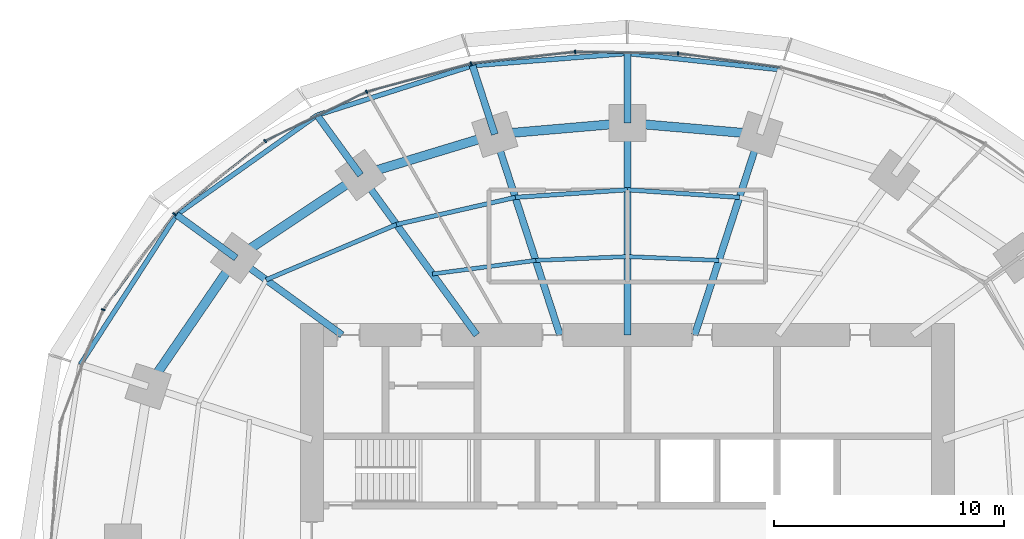
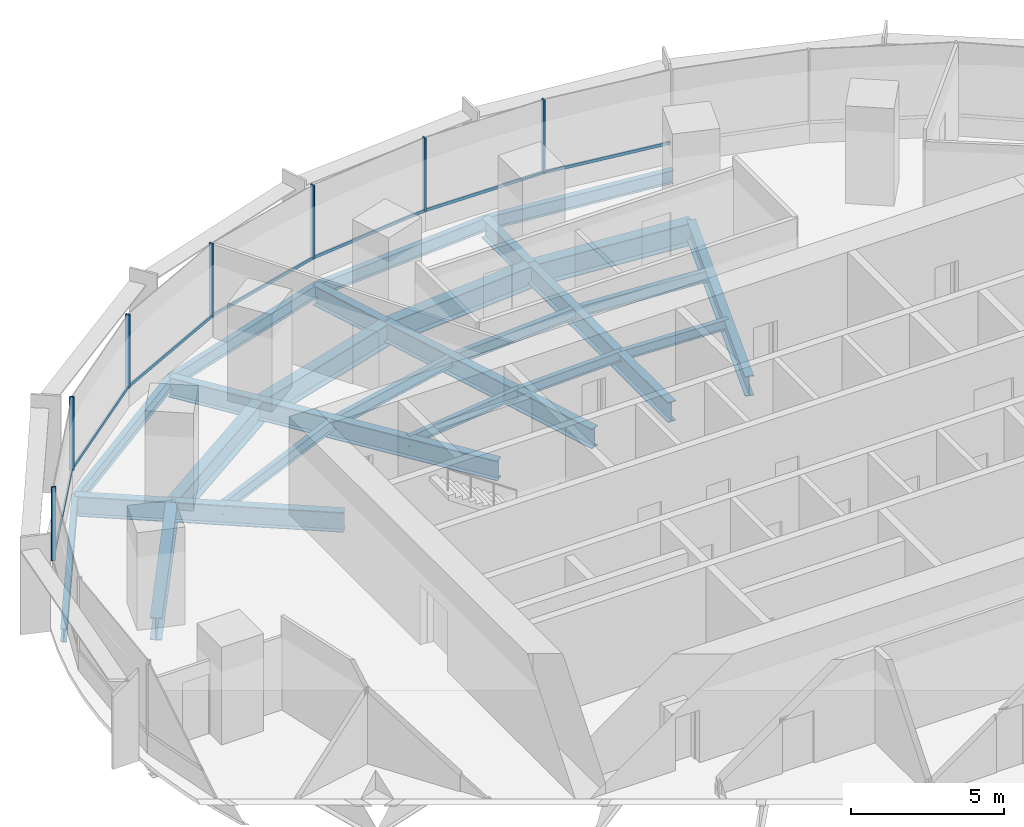
# One storey, part 7 of 14: 26 beams, 14 members, 2 elements without a shape of their own.
"""IFC4 building model written with IfcOpenShell, lengths in metres."""

from ifc_helpers import new_model, si_unit, direction, frame, origin, origin_2d, place, context, subcontext, project, spatial, rectangle, i_section, extrude, material, material_profile, profile_set, type_object, element, aggregate, save


model = new_model("IFC4")

# Units and contexts
model_context = context("Model", 3, precision=1e-05, world=origin(), true_north=direction((0.0, 1.0)))
body_context = subcontext(model_context, "Body", "Model", "MODEL_VIEW")
ifc_project = project(units=[si_unit("LENGTHUNIT", "METRE"), si_unit("AREAUNIT", "SQUARE_METRE"), si_unit("VOLUMEUNIT", "CUBIC_METRE"), si_unit("PLANEANGLEUNIT", "RADIAN"), si_unit("MASSUNIT", "GRAM", prefix="KILO")], contexts=[model_context])

# Site, building, storey
site_placement = place(None, origin())
site = spatial("IfcSite", under=ifc_project, at=site_placement, CompositionType="ELEMENT")
building_placement = place(site_placement, origin())
building = spatial("IfcBuilding", under=site, at=building_placement, Name="Marramba Exchange Tower", CompositionType="ELEMENT")
storey_placement = place(building_placement, frame((0.0, 0.0, 104.10009765625)))
storey = spatial("IfcBuildingStorey", under=building, at=storey_placement, Name="L24", CompositionType="ELEMENT", Elevation=104.10009765625)

# Beams
ifc_material_1 = material(Name="Steel AS/NZS 3679.2 grade 300", Category="steel")
ifc_material_profile_1 = material_profile(ifc_material_1, i_section(OverallWidth=0.300048828125, OverallDepth=0.800048828125, WebThickness=0.013916015625, FlangeThickness=0.031982421875, at=origin_2d()), Name="800WB192")
ifc_profile_set_1 = profile_set([ifc_material_profile_1], Name="Steel AS/NZS 3679.2 grade 300")
beam_type_1 = type_object("IfcBeamType", Name="Cantilever girder 800WB192", PredefinedType="BEAM", material=ifc_profile_set_1)
beam_1_placement = place(storey_placement, frame((0.0, 18.2041015625, -0.56005859375), z_axis=(0.0, 1.0, 0.0), x_axis=(-1.0, 0.0, 0.0)))
element("IfcBeam", 1, at=beam_1_placement, inside=storey, type_object=beam_type_1, Name="Cantilever girder L24 TC06", PredefinedType="BEAM", context=body_context, shape_type="SweptSolid", body=[
    extrude(i_section(OverallWidth=0.300048828125, OverallDepth=0.800048828125, WebThickness=0.013916015625, FlangeThickness=0.031982421875, at=origin_2d()), origin(), (0.0, 0.0, 1.0), 3.01904296875),
])
beam_2_placement = place(storey_placement, frame((-5.75390625, 17.70849609375, -0.56005859375), z_axis=(-0.309028002802, 0.95105293937, 0.0), x_axis=(-0.95105293937, -0.309028002802, 0.0)))
element("IfcBeam", 2, at=beam_2_placement, inside=storey, type_object=beam_type_1, Name="Cantilever girder L24 TC07", PredefinedType="BEAM", context=body_context, shape_type="SweptSolid", body=[
    extrude(i_section(OverallWidth=0.300048828125, OverallDepth=0.800048828125, WebThickness=0.013916015625, FlangeThickness=0.031982421875, at=origin_2d()), origin(), (0.0, 0.0, 1.0), 3.13720703125),
])
beam_3_placement = place(storey_placement, frame((-11.581298828125, 15.9404296875, -0.56005859375), z_axis=(-0.587828447158, 0.808985609706, 0.0), x_axis=(-0.808985609706, -0.587828447158, 0.0)))
element("IfcBeam", 3, at=beam_3_placement, inside=storey, type_object=beam_type_1, Name="Cantilever girder L24 TC08", PredefinedType="BEAM", context=body_context, shape_type="SweptSolid", body=[
    extrude(i_section(OverallWidth=0.300048828125, OverallDepth=0.800048828125, WebThickness=0.013916015625, FlangeThickness=0.031982421875, at=origin_2d()), origin(), (0.0, 0.0, 1.0), 3.214599609375),
])
beam_4_placement = place(storey_placement, frame((-16.98583984375, 12.3408203125, -0.56005859375), z_axis=(-0.809013857915, 0.587789569234, 0.0), x_axis=(-0.587789569234, -0.809013857915, 0.0)))
element("IfcBeam", 4, at=beam_4_placement, inside=storey, type_object=beam_type_1, Name="Cantilever girder L24 TC09", PredefinedType="BEAM", context=body_context, shape_type="SweptSolid", body=[
    extrude(i_section(OverallWidth=0.300048828125, OverallDepth=0.800048828125, WebThickness=0.013916015625, FlangeThickness=0.031982421875, at=origin_2d()), origin(), (0.0, 0.0, 1.0), 3.191650390625),
])
ifc_material_2 = material(Name="Steel AS/NZS 3679.1 grade 300", Category="steel")
ifc_material_profile_2 = material_profile(ifc_material_2, i_section(OverallWidth=0.177978515625, OverallDepth=0.406005859375, WebThickness=0.0078125, FlangeThickness=0.0126953125, FilletRadius=0.011474609375, at=origin_2d()), Name="410UB59.7")
ifc_profile_set_2 = profile_set([ifc_material_profile_2], Name="Steel AS/NZS 3679.1 grade 300")
beam_type_2 = type_object("IfcBeamType", Name="Floor joist 410UB59.7", PredefinedType="JOIST", material=ifc_profile_set_2)
for number, where, z_axis, x_axis, name in (
    (5, (3.975830078125, 12.236083984375, -0.363037109375), (-0.999137002892, 0.041536122257, 0.0), (-0.041536122257, -0.999137002892, 0.0), "Joist L24 bay 05 row 1"),
    (6, (0.0, 12.4013671875, -0.363037109375), (-0.999137002892, -0.041536122257, 0.0), (0.041536122257, -0.999137002892, 0.0), "Joist L24 bay 06 row 1"),
):
    element("IfcBeam", number, at=place(storey_placement, frame(where, z_axis=z_axis, x_axis=x_axis)), inside=storey, type_object=beam_type_2, Name=name, PredefinedType="JOIST", context=body_context, shape_type="SweptSolid", body=[
        extrude(i_section(OverallWidth=0.177978515625, OverallDepth=0.406005859375, WebThickness=0.0078125, FlangeThickness=0.0126953125, FilletRadius=0.011474609375, at=origin_2d()), origin(), (0.0, 0.0, 1.0), 3.979248046875),
    ])
beam_5_placement = place(storey_placement, frame((-3.975830078125, 12.236083984375, -0.363037109375), z_axis=(-0.991480538255, -0.130254912618, 0.0), x_axis=(0.130254912618, -0.991480538255, 0.0)))
element("IfcBeam", 7, at=beam_5_placement, inside=storey, type_object=beam_type_2, Name="Joist L24 bay 07 row 1", PredefinedType="JOIST", context=body_context, shape_type="SweptSolid", body=[
    extrude(i_section(OverallWidth=0.177978515625, OverallDepth=0.406005859375, WebThickness=0.0078125, FlangeThickness=0.0126953125, FilletRadius=0.011474609375, at=origin_2d()), origin(), (0.0, 0.0, 1.0), 4.524658203125),
])
ifc_material_profile_3 = material_profile(ifc_material_2, i_section(OverallWidth=0.18994140625, OverallDepth=0.4541015625, WebThickness=0.008544921875, FlangeThickness=0.0126953125, FilletRadius=0.011474609375, at=origin_2d()), Name="460UB67.1")
ifc_profile_set_3 = profile_set([ifc_material_profile_3], Name="Steel AS/NZS 3679.1 grade 300")
beam_type_3 = type_object("IfcBeamType", Name="Floor joist 460UB67.1", PredefinedType="JOIST", material=ifc_profile_set_3)
for number, where, z_axis, x_axis, name in (
    (8, (4.86474609375, 14.972412109375, -0.38720703125), (-0.997702652202, 0.067745241816, 0.0), (-0.067745241816, -0.997702652202, 0.0), "Joist L24 bay 05 row 2"),
    (9, (0.0, 15.302734375, -0.38720703125), (-0.997702652202, -0.067745241816, 0.0), (0.067745241816, -0.997702652202, 0.0), "Joist L24 bay 06 row 2"),
):
    element("IfcBeam", number, at=place(storey_placement, frame(where, z_axis=z_axis, x_axis=x_axis)), inside=storey, type_object=beam_type_3, Name=name, PredefinedType="JOIST", context=body_context, shape_type="SweptSolid", body=[
        extrude(i_section(OverallWidth=0.18994140625, OverallDepth=0.4541015625, WebThickness=0.008544921875, FlangeThickness=0.0126953125, FilletRadius=0.011474609375, at=origin_2d()), origin(), (0.0, 0.0, 1.0), 4.8759765625),
    ])
beam_6_placement = place(storey_placement, frame((-4.86474609375, 14.972412109375, -0.38720703125), z_axis=(-0.974859652292, -0.222819788916, 0.0), x_axis=(0.222819788916, -0.974859652292, 0.0)))
element("IfcBeam", 10, at=beam_6_placement, inside=storey, type_object=beam_type_3, Name="Joist L24 bay 07 row 2", PredefinedType="JOIST", context=body_context, shape_type="SweptSolid", body=[
    extrude(i_section(OverallWidth=0.18994140625, OverallDepth=0.4541015625, WebThickness=0.008544921875, FlangeThickness=0.0126953125, FilletRadius=0.011474609375, at=origin_2d()), origin(), (0.0, 0.0, 1.0), 5.2900390625),
])
beam_7_placement = place(storey_placement, frame((-10.021728515625, 13.793701171875, -0.38720703125), z_axis=(-0.920674336375, -0.390331610738, 0.0), x_axis=(0.390331610738, -0.920674336375, 0.0)))
element("IfcBeam", 11, at=beam_7_placement, inside=storey, type_object=beam_type_3, Name="Joist L24 bay 08 row 2", PredefinedType="JOIST", context=body_context, shape_type="SweptSolid", body=[
    extrude(i_section(OverallWidth=0.18994140625, OverallDepth=0.4541015625, WebThickness=0.008544921875, FlangeThickness=0.0126953125, FilletRadius=0.011474609375, at=origin_2d()), origin(), (0.0, 0.0, 1.0), 6.1484375),
])

# Curtain wall, members
ifc_material_3 = material(Name="Aluminium framing, bronze anodised", Category="aluminium")
curtain_wall_type = type_object("IfcCurtainWallType", Name="Office ribbon curtain wall", PredefinedType="USERDEFINED", material=ifc_material_3)
curtain_wall_1_placement = place(storey_placement, origin())
curtain_wall_1 = element("IfcCurtainWall", 12, at=curtain_wall_1_placement, inside=storey, type_object=curtain_wall_type, Name="Curtain wall CW4 L24 F06-F10", ObjectType="RIBBON CURTAIN WALL", PredefinedType="USERDEFINED")
ifc_material_4 = material(Name="Aluminium mullion, bronze anodised", Category="aluminium")
ifc_material_profile_4 = material_profile(ifc_material_4, rectangle(XDim=0.159912109375, YDim=0.06005859375, at=origin_2d()), Name="CW4 mullion 60x160")
ifc_profile_set_4 = profile_set([ifc_material_profile_4], Name="Aluminium mullion, bronze anodised")
member_type_1 = type_object("IfcMemberType", Name="Office ribbon curtain wall mullion", PredefinedType="MULLION", material=ifc_profile_set_4)
member_1_placement = place(storey_placement, frame((2.200439453125, 21.2216796875, 0.7998046875), z_axis=(0.0, 0.0, 1.0), x_axis=(-0.01575578169, -0.999875869968, 0.0)))
member_1 = element("IfcMember", 13, at=member_1_placement, type_object=member_type_1, Name="CW4 mullion 1", PredefinedType="MULLION", context=body_context, shape_type="SweptSolid", body=[
    extrude(rectangle(XDim=0.159912109375, YDim=0.06005859375, at=origin_2d()), origin(), (0.0, 0.0, 1.0), 2.940185546875),
])
member_2_placement = place(storey_placement, frame((-2.267578125, 21.288330078125, 0.7998046875), z_axis=(0.0, 0.0, 1.0), x_axis=(0.110973233233, -0.993823395532, 0.0)))
member_2 = element("IfcMember", 14, at=member_2_placement, type_object=member_type_1, Name="CW4 mullion 1", PredefinedType="MULLION", context=body_context, shape_type="SweptSolid", body=[
    extrude(rectangle(XDim=0.159912109375, YDim=0.06005859375, at=origin_2d()), origin(), (0.0, 0.0, 1.0), 2.940185546875),
])
member_3_placement = place(storey_placement, frame((-6.783203125, 20.779541015625, 0.7998046875), z_axis=(0.0, 0.0, 1.0), x_axis=(0.260321294588, -0.965522047176, 0.0)))
member_3 = element("IfcMember", 15, at=member_3_placement, type_object=member_type_1, Name="CW4 mullion 1", PredefinedType="MULLION", context=body_context, shape_type="SweptSolid", body=[
    extrude(rectangle(XDim=0.159912109375, YDim=0.06005859375, at=origin_2d()), origin(), (0.0, 0.0, 1.0), 2.940185546875),
])

curtain_wall_2_placement = place(storey_placement, origin())
curtain_wall_2 = element("IfcCurtainWall", 16, at=curtain_wall_2_placement, inside=storey, type_object=curtain_wall_type, Name="Curtain wall CW4 L24 F11-F15", ObjectType="RIBBON CURTAIN WALL", PredefinedType="USERDEFINED")
member_4_placement = place(storey_placement, frame((-11.32177734375, 19.550048828125, 0.7998046875), z_axis=(0.0, 0.0, 1.0), x_axis=(0.435427626771, -0.900223739881, 0.0)))
member_4 = element("IfcMember", 17, at=member_4_placement, type_object=member_type_1, Name="CW4 mullion 1", PredefinedType="MULLION", context=body_context, shape_type="SweptSolid", body=[
    extrude(rectangle(XDim=0.159912109375, YDim=0.06005859375, at=origin_2d()), origin(), (0.0, 0.0, 1.0), 2.940185546875),
])
member_5_placement = place(storey_placement, frame((-15.720703125, 17.414794921875, 0.7998046875), z_axis=(0.0, 0.0, 1.0), x_axis=(0.624307950145, -0.78117833008, 0.0)))
member_5 = element("IfcMember", 18, at=member_5_placement, type_object=member_type_1, Name="CW4 mullion 1", PredefinedType="MULLION", context=body_context, shape_type="SweptSolid", body=[
    extrude(rectangle(XDim=0.159912109375, YDim=0.06005859375, at=origin_2d()), origin(), (0.0, 0.0, 1.0), 2.940185546875),
])
member_6_placement = place(storey_placement, frame((-19.666748046875, 14.251708984375, 0.7998046875), z_axis=(0.0, 0.0, 1.0), x_axis=(0.80171686484, -0.597703997504, 0.0)))
member_6 = element("IfcMember", 19, at=member_6_placement, type_object=member_type_1, Name="CW4 mullion 1", PredefinedType="MULLION", context=body_context, shape_type="SweptSolid", body=[
    extrude(rectangle(XDim=0.159912109375, YDim=0.06005859375, at=origin_2d()), origin(), (0.0, 0.0, 1.0), 2.940185546875),
])
member_7_placement = place(storey_placement, frame((-22.75341796875, 10.09765625, 0.7998046875), z_axis=(0.0, 0.0, 1.0), x_axis=(0.934925346317, -0.354844468484, 0.0)))
member_7 = element("IfcMember", 20, at=member_7_placement, type_object=member_type_1, Name="CW4 mullion 1", PredefinedType="MULLION", context=body_context, shape_type="SweptSolid", body=[
    extrude(rectangle(XDim=0.159912109375, YDim=0.06005859375, at=origin_2d()), origin(), (0.0, 0.0, 1.0), 2.940185546875),
])

# Member
ifc_material_5 = material(Name="Aluminium transom, bronze anodised", Category="aluminium")
ifc_material_profile_5 = material_profile(ifc_material_5, rectangle(XDim=0.06005859375, YDim=0.1201171875, at=origin_2d()), Name="CW4 transom 60x120")
ifc_profile_set_5 = profile_set([ifc_material_profile_5], Name="Aluminium transom, bronze anodised")
member_type_2 = type_object("IfcMemberType", Name="Office ribbon curtain wall transom", PredefinedType="USERDEFINED", material=ifc_profile_set_5)
member_8_placement = place(storey_placement, frame((6.636962890625, 20.6171875, 0.829833984375), z_axis=(-0.990736067897, 0.135801486619, 0.0), x_axis=(-0.135801486619, -0.990736067897, 0.0)))
member_8 = element("IfcMember", 21, at=member_8_placement, type_object=member_type_2, Name="CW4 sill transom", ObjectType="TRANSOM", PredefinedType="USERDEFINED", context=body_context, shape_type="SweptSolid", body=[
    extrude(rectangle(XDim=0.06005859375, YDim=0.1201171875, at=origin_2d()), origin(), (0.0, 0.0, 1.0), 4.44775390625),
])

member_9_placement = place(storey_placement, frame((2.17041015625, 21.22216796875, 0.829833984375), z_axis=(-0.999875452363, 0.015782260962, 0.0), x_axis=(-0.015782260962, -0.999875452363, 0.0)))
member_9 = element("IfcMember", 22, at=member_9_placement, type_object=member_type_2, Name="CW4 sill transom", ObjectType="TRANSOM", PredefinedType="USERDEFINED", context=body_context, shape_type="SweptSolid", body=[
    extrude(rectangle(XDim=0.06005859375, YDim=0.1201171875, at=origin_2d()), origin(), (0.0, 0.0, 1.0), 4.40869140625),
])

member_10_placement = place(storey_placement, frame((-2.29736328125, 21.284912109375, 0.829833984375), z_axis=(-0.993825837835, -0.110951358943, 0.0), x_axis=(0.110951358943, -0.993825837835, 0.0)))
member_10 = element("IfcMember", 23, at=member_10_placement, type_object=member_type_2, Name="CW4 sill transom", ObjectType="TRANSOM", PredefinedType="USERDEFINED", context=body_context, shape_type="SweptSolid", body=[
    extrude(rectangle(XDim=0.06005859375, YDim=0.1201171875, at=origin_2d()), origin(), (0.0, 0.0, 1.0), 4.484375),
])

member_11_placement = place(storey_placement, frame((-6.812255859375, 20.771728515625, 0.829833984375), z_axis=(-0.965511085148, -0.260361948942, 0.0), x_axis=(0.260361948942, -0.965511085148, 0.0)))
member_11 = element("IfcMember", 24, at=member_11_placement, type_object=member_type_2, Name="CW4 sill transom", ObjectType="TRANSOM", PredefinedType="USERDEFINED", context=body_context, shape_type="SweptSolid", body=[
    extrude(rectangle(XDim=0.06005859375, YDim=0.1201171875, at=origin_2d()), origin(), (0.0, 0.0, 1.0), 4.642578125),
])

aggregate(curtain_wall_1, [member_8, member_1, member_9, member_2, member_10, member_3, member_11])

member_12_placement = place(storey_placement, frame((-11.348876953125, 19.536865234375, 0.829833984375), z_axis=(-0.900223166385, -0.435428812442, 0.0), x_axis=(0.435428812442, -0.900223166385, 0.0)))
member_12 = element("IfcMember", 25, at=member_12_placement, type_object=member_type_2, Name="CW4 sill transom", ObjectType="TRANSOM", PredefinedType="USERDEFINED", context=body_context, shape_type="SweptSolid", body=[
    extrude(rectangle(XDim=0.06005859375, YDim=0.1201171875, at=origin_2d()), origin(), (0.0, 0.0, 1.0), 4.830322265625),
])

member_13_placement = place(storey_placement, frame((-15.744140625, 17.396240234375, 0.829833984375), z_axis=(-0.781164169531, -0.624325668414, 0.0), x_axis=(0.624325668414, -0.781164169531, 0.0)))
member_13 = element("IfcMember", 26, at=member_13_placement, type_object=member_type_2, Name="CW4 sill transom", ObjectType="TRANSOM", PredefinedType="USERDEFINED", context=body_context, shape_type="SweptSolid", body=[
    extrude(rectangle(XDim=0.06005859375, YDim=0.1201171875, at=origin_2d()), origin(), (0.0, 0.0, 1.0), 4.998291015625),
])

member_14_placement = place(storey_placement, frame((-19.6845703125, 14.2275390625, 0.829833984375), z_axis=(-0.597714731658, -0.801708862093, 0.0), x_axis=(0.801708862093, -0.597714731658, 0.0)))
member_14 = element("IfcMember", 27, at=member_14_placement, type_object=member_type_2, Name="CW4 sill transom", ObjectType="TRANSOM", PredefinedType="USERDEFINED", context=body_context, shape_type="SweptSolid", body=[
    extrude(rectangle(XDim=0.06005859375, YDim=0.1201171875, at=origin_2d()), origin(), (0.0, 0.0, 1.0), 5.1162109375),
])

aggregate(curtain_wall_2, [member_4, member_12, member_5, member_13, member_6, member_14, member_7])

# Beams
ifc_material_profile_6 = material_profile(ifc_material_1, i_section(OverallWidth=0.300048828125, OverallDepth=0.800048828125, WebThickness=0.013916015625, FlangeThickness=0.031982421875, at=origin_2d()), Name="800WB192")
ifc_profile_set_6 = profile_set([ifc_material_profile_6], Name="Steel AS/NZS 3679.2 grade 300")
beam_type_4 = type_object("IfcBeamType", Name="Radial girder 800WB192", PredefinedType="BEAM", material=ifc_profile_set_6)
beam_8_placement = place(storey_placement, frame((2.92431640625, 9.0, -0.56005859375), z_axis=(0.309019754162, 0.951055619582, 0.0), x_axis=(-0.951055619582, 0.309019754162, 0.0)))
element("IfcBeam", 28, at=beam_8_placement, inside=storey, type_object=beam_type_4, Name="Radial girder L24 TC05", PredefinedType="BEAM", context=body_context, shape_type="SweptSolid", body=[
    extrude(i_section(OverallWidth=0.300048828125, OverallDepth=0.800048828125, WebThickness=0.013916015625, FlangeThickness=0.031982421875, at=origin_2d()), origin(), (0.0, 0.0, 1.0), 9.15673828125),
])
beam_9_placement = place(storey_placement, frame((0.0, 9.0, -0.56005859375), z_axis=(0.0, 1.0, 0.0), x_axis=(-1.0, 0.0, 0.0)))
element("IfcBeam", 29, at=beam_9_placement, inside=storey, type_object=beam_type_4, Name="Radial girder L24 TC06", PredefinedType="BEAM", context=body_context, shape_type="SweptSolid", body=[
    extrude(i_section(OverallWidth=0.300048828125, OverallDepth=0.800048828125, WebThickness=0.013916015625, FlangeThickness=0.031982421875, at=origin_2d()), origin(), (0.0, 0.0, 1.0), 9.2041015625),
])
beam_10_placement = place(storey_placement, frame((-2.92431640625, 9.0, -0.56005859375), z_axis=(-0.309019754162, 0.951055619582, 0.0), x_axis=(-0.951055619582, -0.309019754162, 0.0)))
element("IfcBeam", 30, at=beam_10_placement, inside=storey, type_object=beam_type_4, Name="Radial girder L24 TC07", PredefinedType="BEAM", context=body_context, shape_type="SweptSolid", body=[
    extrude(i_section(OverallWidth=0.300048828125, OverallDepth=0.800048828125, WebThickness=0.013916015625, FlangeThickness=0.031982421875, at=origin_2d()), origin(), (0.0, 0.0, 1.0), 9.15673828125),
])
beam_11_placement = place(storey_placement, frame((-6.538818359375, 9.0, -0.56005859375), z_axis=(-0.587782439969, 0.80901903764, 0.0), x_axis=(-0.80901903764, -0.587782439969, 0.0)))
element("IfcBeam", 31, at=beam_11_placement, inside=storey, type_object=beam_type_4, Name="Radial girder L24 TC08", PredefinedType="BEAM", context=body_context, shape_type="SweptSolid", body=[
    extrude(i_section(OverallWidth=0.300048828125, OverallDepth=0.800048828125, WebThickness=0.013916015625, FlangeThickness=0.031982421875, at=origin_2d()), origin(), (0.0, 0.0, 1.0), 8.578857421875),
])
beam_12_placement = place(storey_placement, frame((-12.387451171875, 9.0, -0.56005859375), z_axis=(-0.809025746925, 0.587773205252, 0.0), x_axis=(-0.587773205252, -0.809025746925, 0.0)))
element("IfcBeam", 32, at=beam_12_placement, inside=storey, type_object=beam_type_4, Name="Radial girder L24 TC09", PredefinedType="BEAM", context=body_context, shape_type="SweptSolid", body=[
    extrude(i_section(OverallWidth=0.300048828125, OverallDepth=0.800048828125, WebThickness=0.013916015625, FlangeThickness=0.031982421875, at=origin_2d()), origin(), (0.0, 0.0, 1.0), 5.683837890625),
])
ifc_material_profile_7 = material_profile(ifc_material_1, i_section(OverallWidth=0.39990234375, OverallDepth=0.89990234375, WebThickness=0.01611328125, FlangeThickness=0.031982421875, at=origin_2d()), Name="900WB282")
ifc_profile_set_7 = profile_set([ifc_material_profile_7], Name="Steel AS/NZS 3679.2 grade 300")
beam_type_5 = type_object("IfcBeamType", Name="Ring beam 900WB282", PredefinedType="SPANDREL", material=ifc_profile_set_7)
for number, where, z_axis, x_axis, name in (
    (33, (5.75390625, 17.70849609375, -0.610107421875), (-0.996311003275, 0.085815993578, 0.0), (-0.085815993578, -0.996311003275, 0.0), "Ring beam L24 TC05-TC06"),
    (34, (0.0, 18.2041015625, -0.610107421875), (-0.996311003275, -0.085815993578, 0.0), (0.085815993578, -0.996311003275, 0.0), "Ring beam L24 TC06-TC07"),
):
    element("IfcBeam", number, at=place(storey_placement, frame(where, z_axis=z_axis, x_axis=x_axis)), inside=storey, type_object=beam_type_5, Name=name, PredefinedType="SPANDREL", context=body_context, shape_type="SweptSolid", body=[
        extrude(i_section(OverallWidth=0.39990234375, OverallDepth=0.89990234375, WebThickness=0.01611328125, FlangeThickness=0.031982421875, at=origin_2d()), origin(), (0.0, 0.0, 1.0), 5.775146484375),
    ])
beam_13_placement = place(storey_placement, frame((-5.75390625, 17.70849609375, -0.610107421875), z_axis=(-0.956924542524, -0.290336735387, 0.0), x_axis=(0.290336735387, -0.956924542524, 0.0)))
element("IfcBeam", 35, at=beam_13_placement, inside=storey, type_object=beam_type_5, Name="Ring beam L24 TC07-TC08", PredefinedType="SPANDREL", context=body_context, shape_type="SweptSolid", body=[
    extrude(i_section(OverallWidth=0.39990234375, OverallDepth=0.89990234375, WebThickness=0.01611328125, FlangeThickness=0.031982421875, at=origin_2d()), origin(), (0.0, 0.0, 1.0), 6.089599609375),
])
beam_14_placement = place(storey_placement, frame((-11.581298828125, 15.9404296875, -0.610107421875), z_axis=(-0.832293151443, -0.554335737673, 0.0), x_axis=(0.554335737673, -0.832293151443, 0.0)))
element("IfcBeam", 36, at=beam_14_placement, inside=storey, type_object=beam_type_5, Name="Ring beam L24 TC08-TC09", PredefinedType="SPANDREL", context=body_context, shape_type="SweptSolid", body=[
    extrude(i_section(OverallWidth=0.39990234375, OverallDepth=0.89990234375, WebThickness=0.01611328125, FlangeThickness=0.031982421875, at=origin_2d()), origin(), (0.0, 0.0, 1.0), 6.49365234375),
])
beam_15_placement = place(storey_placement, frame((-16.98583984375, 12.3408203125, -0.610107421875), z_axis=(-0.56516002054, -0.824981303535, 0.0), x_axis=(0.824981303535, -0.56516002054, 0.0)))
element("IfcBeam", 37, at=beam_15_placement, inside=storey, type_object=beam_type_5, Name="Ring beam L24 TC09-TC10", PredefinedType="SPANDREL", context=body_context, shape_type="SweptSolid", body=[
    extrude(i_section(OverallWidth=0.39990234375, OverallDepth=0.89990234375, WebThickness=0.01611328125, FlangeThickness=0.031982421875, at=origin_2d()), origin(), (0.0, 0.0, 1.0), 6.763671875),
])
ifc_material_profile_8 = material_profile(ifc_material_2, i_section(OverallWidth=0.208984375, OverallDepth=0.528076171875, WebThickness=0.009521484375, FlangeThickness=0.01318359375, FilletRadius=0.013916015625, at=origin_2d()), Name="530UB82.0")
ifc_profile_set_8 = profile_set([ifc_material_profile_8], Name="Steel AS/NZS 3679.1 grade 300")
beam_type_6 = type_object("IfcBeamType", Name="Slab edge beam 530UB82.0", PredefinedType="SPANDREL", material=ifc_profile_set_8)
beam_16_placement = place(storey_placement, frame((6.66552734375, 20.51416015625, -0.424072265625), z_axis=(-0.994390706415, 0.105769196815, 0.0), x_axis=(-0.105769196815, -0.994390706415, 0.0)))
element("IfcBeam", 38, at=beam_16_placement, inside=storey, type_object=beam_type_6, Name="Slab edge beam L24 TC05-TC06", PredefinedType="SPANDREL", context=body_context, shape_type="SweptSolid", body=[
    extrude(i_section(OverallWidth=0.208984375, OverallDepth=0.528076171875, WebThickness=0.009521484375, FlangeThickness=0.01318359375, FilletRadius=0.013916015625, at=origin_2d()), origin(), (0.0, 0.0, 1.0), 6.703125),
])
beam_17_placement = place(storey_placement, frame((0.0, 21.22314453125, -0.424072265625), z_axis=(-0.996895681721, -0.078733726996, 0.0), x_axis=(0.078733726996, -0.996895681721, 0.0)))
element("IfcBeam", 39, at=beam_17_placement, inside=storey, type_object=beam_type_6, Name="Slab edge beam L24 TC06-TC07", PredefinedType="SPANDREL", context=body_context, shape_type="SweptSolid", body=[
    extrude(i_section(OverallWidth=0.208984375, OverallDepth=0.528076171875, WebThickness=0.009521484375, FlangeThickness=0.01318359375, FilletRadius=0.013916015625, at=origin_2d()), origin(), (0.0, 0.0, 1.0), 6.744384765625),
])
beam_18_placement = place(storey_placement, frame((-6.723388671875, 20.692138671875, -0.424072265625), z_axis=(-0.952755400854, -0.303738614839, 0.0), x_axis=(0.303738614839, -0.952755400854, 0.0)))
element("IfcBeam", 40, at=beam_18_placement, inside=storey, type_object=beam_type_6, Name="Slab edge beam L24 TC07-TC08", PredefinedType="SPANDREL", context=body_context, shape_type="SweptSolid", body=[
    extrude(i_section(OverallWidth=0.208984375, OverallDepth=0.528076171875, WebThickness=0.009521484375, FlangeThickness=0.01318359375, FilletRadius=0.013916015625, at=origin_2d()), origin(), (0.0, 0.0, 1.0), 7.08203125),
])
beam_19_placement = place(storey_placement, frame((-13.470947265625, 18.541015625, -0.424072265625), z_axis=(-0.815673202412, -0.578512944425, 0.0), x_axis=(0.578512944425, -0.815673202412, 0.0)))
element("IfcBeam", 41, at=beam_19_placement, inside=storey, type_object=beam_type_6, Name="Slab edge beam L24 TC08-TC09", PredefinedType="SPANDREL", context=body_context, shape_type="SweptSolid", body=[
    extrude(i_section(OverallWidth=0.208984375, OverallDepth=0.528076171875, WebThickness=0.009521484375, FlangeThickness=0.01318359375, FilletRadius=0.013916015625, at=origin_2d()), origin(), (0.0, 0.0, 1.0), 7.474609375),
])
beam_20_placement = place(storey_placement, frame((-19.56787109375, 14.216796875, -0.424072265625), z_axis=(-0.541060886597, -0.840983422544, 0.0), x_axis=(0.840983422544, -0.541060886597, 0.0)))
element("IfcBeam", 42, at=beam_20_placement, inside=storey, type_object=beam_type_6, Name="Slab edge beam L24 TC09-TC10", PredefinedType="SPANDREL", context=body_context, shape_type="SweptSolid", body=[
    extrude(i_section(OverallWidth=0.208984375, OverallDepth=0.528076171875, WebThickness=0.009521484375, FlangeThickness=0.01318359375, FilletRadius=0.013916015625, at=origin_2d()), origin(), (0.0, 0.0, 1.0), 7.72900390625),
])

save(model, "model.ifc")
